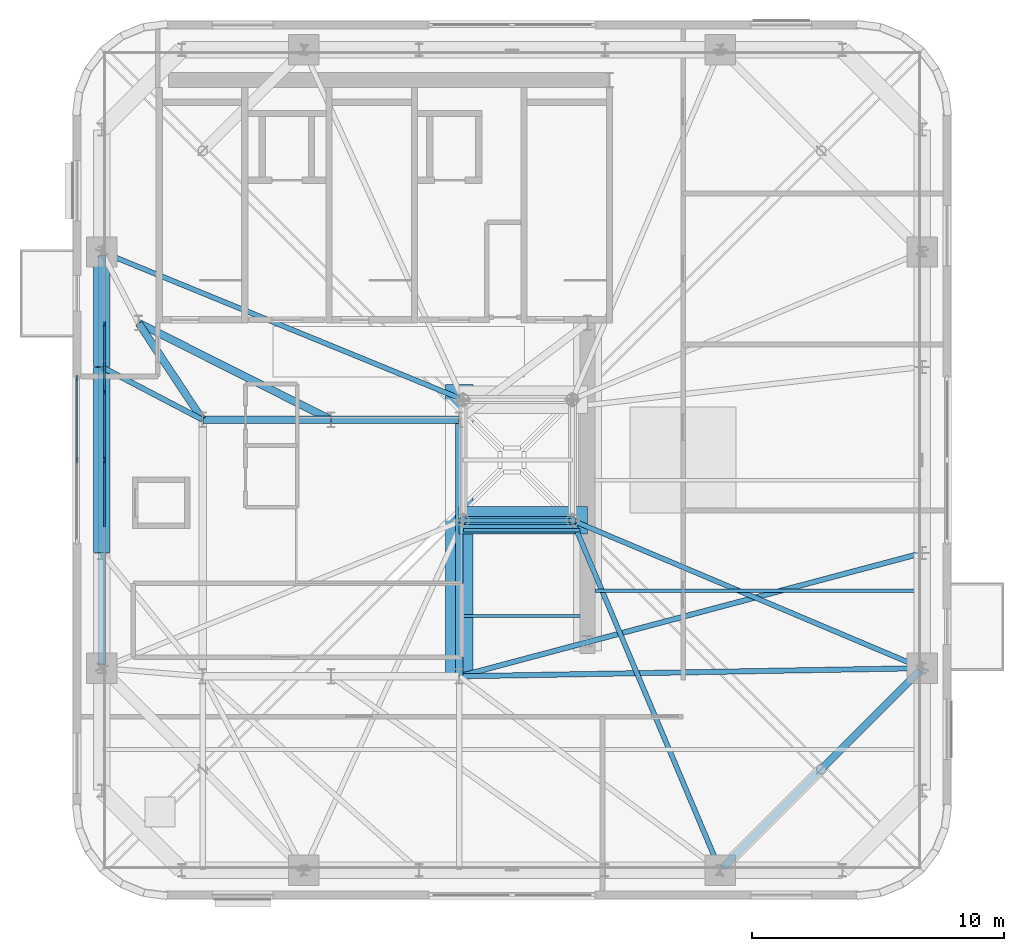
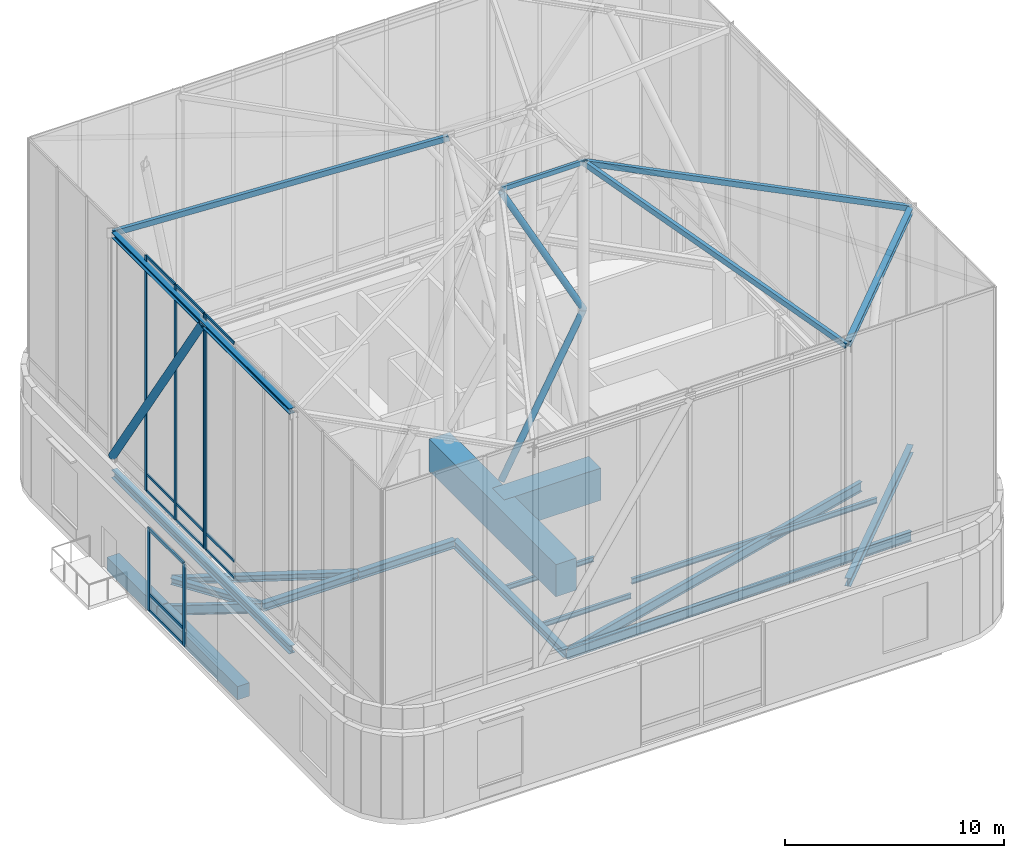
# One storey, part 4 of 15: 25 members, 19 beams, 3 elements without a shape of their own.
"""IFC4 building model written with IfcOpenShell, lengths in metres."""

from ifc_helpers import new_model, si_unit, direction, frame, origin, origin_2d, place, context, subcontext, project, spatial, rectangle, hollow_rectangle, hollow_circle, i_section, extrude, source, transform, mapped, material, material_profile, profile_set, type_object, element, aggregate, save


model = new_model("IFC4")

# Units and contexts
model_context = context("Model", 3, precision=1e-05, world=origin(), true_north=direction((0.0, 1.0)))
body_context = subcontext(model_context, "Body", "Model", "MODEL_VIEW")
ifc_project = project(units=[si_unit("LENGTHUNIT", "METRE"), si_unit("AREAUNIT", "SQUARE_METRE"), si_unit("VOLUMEUNIT", "CUBIC_METRE"), si_unit("PLANEANGLEUNIT", "RADIAN"), si_unit("MASSUNIT", "GRAM", prefix="KILO")], contexts=[model_context])

# Site, building, storey
site_placement = place(None, origin())
site = spatial("IfcSite", under=ifc_project, at=site_placement, CompositionType="ELEMENT")
building_placement = place(site_placement, origin())
building = spatial("IfcBuilding", under=site, at=building_placement, Name="Vardaveli Station Tower", CompositionType="ELEMENT")
storey_placement = place(building_placement, frame((0.0, 0.0, 301.14990234375)))
storey = spatial("IfcBuildingStorey", under=building, at=storey_placement, Name="L76", CompositionType="ELEMENT", Elevation=301.14990234375)

# Beams
ifc_material_1 = material(Name="Structural steel S355J2", Category="steel")
ifc_material_profile_1 = material_profile(ifc_material_1, i_section(OverallWidth=0.300048828125, OverallDepth=0.449951171875, WebThickness=0.013916015625, FlangeThickness=0.02587890625, FilletRadius=0.027099609375, at=origin_2d()), Name="HEB 450")
ifc_profile_set_1 = profile_set([ifc_material_profile_1], Name="Structural steel S355J2")
beam_type_1 = type_object("IfcBeamType", Name="BM-HEB450", PredefinedType="BEAM", material=ifc_profile_set_1)
shared_shape_1 = source(origin(), body_context, "Body", "SweptSolid", [
    extrude(i_section(OverallWidth=0.300048828125, OverallDepth=0.449951171875, WebThickness=0.013916015625, FlangeThickness=0.02587890625, FilletRadius=0.027099609375, at=origin_2d()), origin(), (0.0, 0.0, 1.0), 5.06005859375),
])
beam_1_placement = place(storey_placement, frame((36.280029296875, 26.800048828125, -0.52490234375), z_axis=(-1.0, 0.0, 0.0), x_axis=(0.0, -1.0, 0.0)))
element("IfcBeam", 1, at=beam_1_placement, inside=storey, type_object=beam_type_1, Name="ABM-L76-05", PredefinedType="BEAM", context=body_context, shape_type="MappedRepresentation", body=[
    mapped(shared_shape_1, transform((0.0, 0.0, 0.0), scale=1.0)),
])
shared_shape_2 = source(origin(), body_context, "Body", "SweptSolid", [
    extrude(i_section(OverallWidth=0.300048828125, OverallDepth=0.449951171875, WebThickness=0.013916015625, FlangeThickness=0.02587890625, FilletRadius=0.027099609375, at=origin_2d()), origin(), (0.0, 0.0, 1.0), 5.059814453125),
])
beam_2_placement = place(storey_placement, frame((41.3798828125, 26.800048828125, -0.52490234375), z_axis=(-1.0, 0.0, 0.0), x_axis=(0.0, -1.0, 0.0)))
element("IfcBeam", 2, at=beam_2_placement, inside=storey, type_object=beam_type_1, Name="ABM-L76-04", PredefinedType="BEAM", context=body_context, shape_type="MappedRepresentation", body=[
    mapped(shared_shape_2, transform((0.0, 0.0, 0.0), scale=1.0)),
])
shared_shape_3 = source(origin(), body_context, "Body", "SweptSolid", [
    extrude(i_section(OverallWidth=0.300048828125, OverallDepth=0.449951171875, WebThickness=0.013916015625, FlangeThickness=0.02587890625, FilletRadius=0.027099609375, at=origin_2d()), origin(), (0.0, 0.0, 1.0), 10.159912109375),
])
beam_3_placement = place(storey_placement, frame((41.39990234375, 16.6201171875, -0.52490234375), z_axis=(0.0, 1.0, 0.0), x_axis=(-1.0, 0.0, 0.0)))
element("IfcBeam", 3, at=beam_3_placement, inside=storey, type_object=beam_type_1, Name="ABM-L76-03", PredefinedType="BEAM", context=body_context, shape_type="MappedRepresentation", body=[
    mapped(shared_shape_3, transform((0.0, 0.0, 0.0), scale=1.0)),
])
ifc_material_profile_2 = material_profile(ifc_material_1, i_section(OverallWidth=0.300048828125, OverallDepth=0.360107421875, WebThickness=0.012451171875, FlangeThickness=0.0224609375, FilletRadius=0.027099609375, at=origin_2d()), Name="HEB 360")
ifc_profile_set_2 = profile_set([ifc_material_profile_2], Name="Structural steel S355J2")
beam_type_2 = type_object("IfcBeamType", Name="BM-HEB360", PredefinedType="BEAM", material=ifc_profile_set_2)
shared_shape_4 = source(origin(), body_context, "Body", "SweptSolid", [
    extrude(i_section(OverallWidth=0.300048828125, OverallDepth=0.360107421875, WebThickness=0.012451171875, FlangeThickness=0.0224609375, FilletRadius=0.027099609375, at=origin_2d()), origin(), (0.0, 0.0, 1.0), 4.577880859375),
])
beam_4_placement = place(storey_placement, frame((31.18896484375, 26.816650390625, -0.47998046875), z_axis=(-0.55218702139, 0.833720272879, 0.0), x_axis=(-0.833720272879, -0.55218702139, 0.0)))
element("IfcBeam", 4, at=beam_4_placement, inside=storey, type_object=beam_type_2, Name="CBM-L76-01", PredefinedType="BEAM", context=body_context, shape_type="MappedRepresentation", body=[
    mapped(shared_shape_4, transform((0.0, 0.0, 0.0), scale=1.0)),
])
shared_shape_5 = source(origin(), body_context, "Body", "SweptSolid", [
    extrude(i_section(OverallWidth=0.300048828125, OverallDepth=0.360107421875, WebThickness=0.012451171875, FlangeThickness=0.0224609375, FilletRadius=0.027099609375, at=origin_2d()), origin(), (0.0, 0.0, 1.0), 8.524169921875),
])
beam_5_placement = place(storey_placement, frame((28.66796875, 30.64111328125, -0.47998046875), z_axis=(0.893255584708, -0.449549174605, 0.0), x_axis=(0.449549174605, 0.893255584708, 0.0)))
element("IfcBeam", 5, at=beam_5_placement, inside=storey, type_object=beam_type_2, Name="CBM-L76-03", PredefinedType="BEAM", context=body_context, shape_type="MappedRepresentation", body=[
    mapped(shared_shape_5, transform((0.0, 0.0, 0.0), scale=1.0)),
])
ifc_material_2 = material(Name="Precast concrete C45/55", Category="concrete")
ifc_material_profile_3 = material_profile(ifc_material_2, rectangle(XDim=0.64990234375, YDim=0.75, at=origin_2d()), Name="LPB 650x750")
ifc_profile_set_3 = profile_set([ifc_material_profile_3], Name="Precast concrete C45/55")
beam_type_3 = type_object("IfcBeamType", Name="BM-LPB-750", PredefinedType="BEAM", material=ifc_profile_set_3)
shared_shape_6 = source(origin(), body_context, "Body", "SweptSolid", [
    extrude(rectangle(XDim=0.64990234375, YDim=0.75, at=origin_2d()), origin(), (0.0, 0.0, 1.0), 7.35986328125),
])
beam_6_placement = place(storey_placement, frame((27.18994140625, 28.8798828125, -0.6748046875), z_axis=(0.0, -1.0, 0.0), x_axis=(1.0, 0.0, 0.0)))
element("IfcBeam", 6, at=beam_6_placement, inside=storey, type_object=beam_type_3, Name="RBM-L76-20", PredefinedType="BEAM", context=body_context, shape_type="MappedRepresentation", body=[
    mapped(shared_shape_6, transform((0.0, 0.0, 0.0), scale=1.0)),
])
ifc_material_profile_4 = material_profile(ifc_material_1, i_section(OverallWidth=0.135009765625, OverallDepth=0.27001953125, WebThickness=0.006591796875, FlangeThickness=0.01025390625, FilletRadius=0.014892578125, at=origin_2d()), Name="IPE 270")
ifc_profile_set_4 = profile_set([ifc_material_profile_4], Name="Structural steel S355J2")
beam_type_4 = type_object("IfcBeamType", Name="BM-IPE270", PredefinedType="BEAM", material=ifc_profile_set_4)
shared_shape_7 = source(origin(), body_context, "Body", "SweptSolid", [
    extrude(i_section(OverallWidth=0.135009765625, OverallDepth=0.27001953125, WebThickness=0.006591796875, FlangeThickness=0.01025390625, FilletRadius=0.014892578125, at=origin_2d()), origin(), (0.0, 0.0, 1.0), 4.630126953125),
])
for number, where, z_axis, x_axis, name in (
    (7, (41.56494140625, 19.0, -0.434814453125), (1.0, 0.0, 0.0), (0.0, 1.0, 0.0), "TJ-L76-01"),
    (8, (41.56494140625, 22.39990234375, -0.434814453125), (1.0, 0.0, 0.0), (0.0, 1.0, 0.0), "TJ-L76-02"),
):
    element("IfcBeam", number, at=place(storey_placement, frame(where, z_axis=z_axis, x_axis=x_axis)), inside=storey, type_object=beam_type_4, Name=name, PredefinedType="BEAM", context=body_context, shape_type="MappedRepresentation", body=[
        mapped(shared_shape_7, transform((0.0, 0.0, 0.0), scale=1.0)),
    ])
shared_shape_8 = source(origin(), body_context, "Body", "SweptSolid", [
    extrude(rectangle(XDim=0.64990234375, YDim=0.75, at=origin_2d()), origin(), (0.0, 0.0, 1.0), 4.535888671875),
])
beam_7_placement = place(storey_placement, frame((27.18994140625, 33.455810546875, -0.6748046875), z_axis=(0.0, -1.0, 0.0), x_axis=(1.0, 0.0, 0.0)))
element("IfcBeam", 9, at=beam_7_placement, inside=storey, type_object=beam_type_3, Name="RBM-L76-19", PredefinedType="BEAM", context=body_context, shape_type="MappedRepresentation", body=[
    mapped(shared_shape_8, transform((0.0, 0.0, 0.0), scale=1.0)),
])
ifc_material_profile_5 = material_profile(ifc_material_1, i_section(OverallWidth=0.2099609375, OverallDepth=0.550048828125, WebThickness=0.010986328125, FlangeThickness=0.01708984375, FilletRadius=0.02392578125, at=origin_2d()), Name="IPE 550")
ifc_profile_set_5 = profile_set([ifc_material_profile_5], Name="Structural steel S355J2")
beam_type_5 = type_object("IfcBeamType", Name="BM-IPE550", PredefinedType="BEAM", material=ifc_profile_set_5)
shared_shape_9 = source(origin(), body_context, "Body", "SweptSolid", [
    extrude(i_section(OverallWidth=0.2099609375, OverallDepth=0.550048828125, WebThickness=0.010986328125, FlangeThickness=0.01708984375, FilletRadius=0.02392578125, at=origin_2d()), origin(), (0.0, 0.0, 1.0), 18.373046875),
])
beam_8_placement = place(storey_placement, frame((59.7900390625, 16.923828125, -0.574951171875), z_axis=(-0.999844990961, -0.017606647879, 0.0), x_axis=(0.017606647879, -0.999844990961, 0.0)))
element("IfcBeam", 10, at=beam_8_placement, inside=storey, type_object=beam_type_5, Name="GBM-L76-05", PredefinedType="BEAM", context=body_context, shape_type="MappedRepresentation", body=[
    mapped(shared_shape_9, transform((0.0, 0.0, 0.0), scale=1.0)),
])
shared_shape_10 = source(origin(), body_context, "Body", "SweptSolid", [
    extrude(i_section(OverallWidth=0.2099609375, OverallDepth=0.550048828125, WebThickness=0.010986328125, FlangeThickness=0.01708984375, FilletRadius=0.02392578125, at=origin_2d()), origin(), (0.0, 0.0, 1.0), 19.010986328125),
])
beam_9_placement = place(storey_placement, frame((59.790771484375, 21.494873046875, -0.574951171875), z_axis=(-0.966357602829, -0.25720222288, 0.0), x_axis=(0.25720222288, -0.966357602829, 0.0)))
element("IfcBeam", 11, at=beam_9_placement, inside=storey, type_object=beam_type_5, Name="GBM-L76-06", PredefinedType="BEAM", context=body_context, shape_type="MappedRepresentation", body=[
    mapped(shared_shape_10, transform((0.0, 0.0, 0.0), scale=1.0)),
])
shared_shape_11 = source(origin(), body_context, "Body", "SweptSolid", [
    extrude(i_section(OverallWidth=0.2099609375, OverallDepth=0.550048828125, WebThickness=0.010986328125, FlangeThickness=0.01708984375, FilletRadius=0.02392578125, at=origin_2d()), origin(), (0.0, 0.0, 1.0), 4.486572265625),
])
beam_10_placement = place(storey_placement, frame((27.207763671875, 28.890625, -0.574951171875), z_axis=(0.885890107566, -0.463895157678, 0.0), x_axis=(0.463895157678, 0.885890107566, 0.0)))
element("IfcBeam", 12, at=beam_10_placement, inside=storey, type_object=beam_type_5, Name="GBM-L76-08", PredefinedType="BEAM", context=body_context, shape_type="MappedRepresentation", body=[
    mapped(shared_shape_11, transform((0.0, 0.0, 0.0), scale=1.0)),
])
ifc_material_profile_6 = material_profile(ifc_material_1, i_section(OverallWidth=0.14990234375, OverallDepth=0.300048828125, WebThickness=0.007080078125, FlangeThickness=0.0107421875, FilletRadius=0.014892578125, at=origin_2d()), Name="IPE 300")
ifc_profile_set_6 = profile_set([ifc_material_profile_6], Name="Structural steel S355J2")
beam_type_6 = type_object("IfcBeamType", Name="BM-IPE300", PredefinedType="JOIST", material=ifc_profile_set_6)
shared_shape_12 = source(origin(), body_context, "Body", "SweptSolid", [
    extrude(i_section(OverallWidth=0.14990234375, OverallDepth=0.300048828125, WebThickness=0.007080078125, FlangeThickness=0.0107421875, FilletRadius=0.014892578125, at=origin_2d()), origin(), (0.0, 0.0, 1.0), 12.965087890625),
])
beam_11_placement = place(storey_placement, frame((46.804931640625, 20.0, -0.449951171875), z_axis=(1.0, 0.0, 0.0), x_axis=(0.0, 1.0, 0.0)))
element("IfcBeam", 13, at=beam_11_placement, inside=storey, type_object=beam_type_6, Name="SJ-L76-E04", PredefinedType="JOIST", context=body_context, shape_type="MappedRepresentation", body=[
    mapped(shared_shape_12, transform((0.0, 0.0, 0.0), scale=1.0)),
])
shared_shape_13 = source(origin(), body_context, "Body", "SweptSolid", [
    extrude(i_section(OverallWidth=0.300048828125, OverallDepth=0.449951171875, WebThickness=0.013916015625, FlangeThickness=0.02587890625, FilletRadius=0.027099609375, at=origin_2d()), origin(), (0.0, 0.0, 1.0), 16.271484375),
])
beam_12_placement = place(storey_placement, frame((27.18994140625, 33.335693359375, 4.375), z_axis=(0.0, -1.0, 0.0), x_axis=(1.0, 0.0, 0.0)))
element("IfcBeam", 14, at=beam_12_placement, inside=storey, type_object=beam_type_1, Name="CRB-BASE-07", PredefinedType="BEAM", context=body_context, shape_type="MappedRepresentation", body=[
    mapped(shared_shape_13, transform((0.0, 0.0, 0.0), scale=1.0)),
])
shared_shape_14 = source(origin(), body_context, "Body", "SweptSolid", [
    extrude(i_section(OverallWidth=0.300048828125, OverallDepth=0.449951171875, WebThickness=0.013916015625, FlangeThickness=0.02587890625, FilletRadius=0.027099609375, at=origin_2d()), origin(), (0.0, 0.0, 1.0), 11.08203125),
])
beam_13_placement = place(storey_placement, frame((51.874755859375, 8.989013671875, 4.375), z_axis=(0.707106781187, 0.707106781187, 0.0), x_axis=(-0.707106781187, 0.707106781187, 0.0)))
element("IfcBeam", 15, at=beam_13_placement, inside=storey, type_object=beam_type_1, Name="CRB-BASE-02", PredefinedType="BEAM", context=body_context, shape_type="MappedRepresentation", body=[
    mapped(shared_shape_14, transform((0.0, 0.0, 0.0), scale=1.0)),
])

# Member
ifc_material_3 = material(Name="Structural steel S460M", Category="steel")
ifc_material_profile_7 = material_profile(ifc_material_3, hollow_circle(Radius=0.203125, WallThickness=0.02001953125, at=origin_2d()), Name="CHS 406.4x20")
ifc_profile_set_7 = profile_set([ifc_material_profile_7], Name="Structural steel S460M")
member_type_1 = type_object("IfcMemberType", Name="MEM-ST-CHS406", PredefinedType="STRUT", material=ifc_profile_set_7)
shared_shape_15 = source(origin(), body_context, "Body", "SweptSolid", [
    extrude(hollow_circle(Radius=0.203125, WallThickness=0.02001953125, at=origin_2d()), origin(), (0.0, 0.0, 1.0), 14.949951171875),
])
member_1_placement = place(storey_placement, frame((27.18994140625, 33.475830078125, 5.25), z_axis=(0.0, -0.553576644166, 0.832798234288), x_axis=(1.0, 0.0, 0.0)))
element("IfcMember", 16, at=member_1_placement, inside=storey, type_object=member_type_1, Name="CRM-STR-07", PredefinedType="STRUT", context=body_context, shape_type="MappedRepresentation", body=[
    mapped(shared_shape_15, transform((0.0, 0.0, 0.0), scale=1.0)),
])

# Beams
ifc_material_profile_8 = material_profile(ifc_material_1, i_section(OverallWidth=0.300048828125, OverallDepth=0.300048828125, WebThickness=0.010986328125, FlangeThickness=0.01904296875, FilletRadius=0.027099609375, at=origin_2d()), Name="HEB 300")
ifc_profile_set_8 = profile_set([ifc_material_profile_8], Name="Structural steel S355J2")
beam_type_7 = type_object("IfcBeamType", Name="BM-HEB300", PredefinedType="BEAM", material=ifc_profile_set_8)
shared_shape_16 = source(origin(), body_context, "Body", "SweptSolid", [
    extrude(i_section(OverallWidth=0.300048828125, OverallDepth=0.300048828125, WebThickness=0.010986328125, FlangeThickness=0.01904296875, FilletRadius=0.027099609375, at=origin_2d()), origin(), (0.0, 0.0, 1.0), 16.271484375),
])
beam_14_placement = place(storey_placement, frame((27.18994140625, 33.335693359375, 17.7001953125), z_axis=(0.0, -1.0, 0.0), x_axis=(1.0, 0.0, 0.0)))
element("IfcBeam", 17, at=beam_14_placement, inside=storey, type_object=beam_type_7, Name="CRB-EAVE-07", PredefinedType="BEAM", context=body_context, shape_type="MappedRepresentation", body=[
    mapped(shared_shape_16, transform((0.0, 0.0, 0.0), scale=1.0)),
])
shared_shape_17 = source(origin(), body_context, "Body", "SweptSolid", [
    extrude(i_section(OverallWidth=0.300048828125, OverallDepth=0.300048828125, WebThickness=0.010986328125, FlangeThickness=0.01904296875, FilletRadius=0.027099609375, at=origin_2d()), origin(), (0.0, 0.0, 1.0), 11.08203125),
])
beam_15_placement = place(storey_placement, frame((51.874755859375, 8.989013671875, 17.7001953125), z_axis=(0.707106781187, 0.707106781187, 0.0), x_axis=(-0.707106781187, 0.707106781187, 0.0)))
element("IfcBeam", 18, at=beam_15_placement, inside=storey, type_object=beam_type_7, Name="CRB-EAVE-02", PredefinedType="BEAM", context=body_context, shape_type="MappedRepresentation", body=[
    mapped(shared_shape_17, transform((0.0, 0.0, 0.0), scale=1.0)),
])
ifc_material_4 = material(Name="Concrete C60/75", Category="concrete")
ifc_material_profile_9 = material_profile(ifc_material_4, rectangle(XDim=1.10009765625, YDim=1.800048828125, at=origin_2d()), Name="TG 1100x1800")
ifc_profile_set_9 = profile_set([ifc_material_profile_9], Name="Concrete C60/75")
beam_type_8 = type_object("IfcBeamType", Name="BM-TG-1800", PredefinedType="BEAM", material=ifc_profile_set_9)
shared_shape_18 = source(origin(), body_context, "Body", "SweptSolid", [
    extrude(rectangle(XDim=1.10009765625, YDim=1.800048828125, at=origin_2d()), origin(), (0.0, 0.0, 1.0), 11.599853515625),
])
beam_16_placement = place(storey_placement, frame((41.39990234375, 16.60009765625, 3.7001953125), z_axis=(0.0, 1.0, 0.0), x_axis=(-1.0, 0.0, 0.0)))
element("IfcBeam", 19, at=beam_16_placement, inside=storey, type_object=beam_type_8, Name="CRB-TG-WL", PredefinedType="BEAM", context=body_context, shape_type="MappedRepresentation", body=[
    mapped(shared_shape_18, transform((0.0, 0.0, 0.0), scale=1.0)),
])
shared_shape_19 = source(origin(), body_context, "Body", "SweptSolid", [
    extrude(rectangle(XDim=1.10009765625, YDim=1.800048828125, at=origin_2d()), origin(), (0.0, 0.0, 1.0), 5.10009765625),
])
beam_17_placement = place(storey_placement, frame((41.39990234375, 22.800048828125, 3.7001953125), z_axis=(1.0, 0.0, 0.0), x_axis=(0.0, 1.0, 0.0)))
element("IfcBeam", 20, at=beam_17_placement, inside=storey, type_object=beam_type_8, Name="CRB-TG-S", PredefinedType="BEAM", context=body_context, shape_type="MappedRepresentation", body=[
    mapped(shared_shape_19, transform((0.0, 0.0, 0.0), scale=1.0)),
])

# Members
ifc_material_profile_10 = material_profile(ifc_material_1, hollow_circle(Radius=0.161865234375, WallThickness=0.01611328125, at=origin_2d()), Name="CHS 323.9x16")
ifc_profile_set_10 = profile_set([ifc_material_profile_10], Name="Structural steel S355J2")
member_type_2 = type_object("IfcMemberType", Name="MEM-BR-CHS324", PredefinedType="BRACE", material=ifc_profile_set_10)
shared_shape_20 = source(origin(), body_context, "Body", "SweptSolid", [
    extrude(hollow_circle(Radius=0.161865234375, WallThickness=0.01611328125, at=origin_2d()), origin(), (0.0, 0.0, 1.0), 9.158935546875),
])
for number, where, z_axis, x_axis, name in (
    (21, (41.550048828125, 22.800048828125, 5.300048828125), (0.47493096275, 0.0, 0.880023056869), (0.0, 1.0, 0.0), "CRM-BRC-01"),
    (22, (45.89990234375, 22.800048828125, 13.360107421875), (-0.47493096275, 0.0, 0.880023056869), (0.0, -1.0, 0.0), "CRM-BRC-02"),
):
    element("IfcMember", number, at=place(storey_placement, frame(where, z_axis=z_axis, x_axis=x_axis)), inside=storey, type_object=member_type_2, Name=name, PredefinedType="BRACE", context=body_context, shape_type="MappedRepresentation", body=[
        mapped(shared_shape_20, transform((0.0, 0.0, 0.0), scale=1.0)),
    ])
ifc_material_profile_11 = material_profile(ifc_material_1, hollow_rectangle(XDim=0.199951171875, YDim=0.300048828125, WallThickness=0.012451171875, at=origin_2d()), Name="RHS 300x200x12.5")
ifc_profile_set_11 = profile_set([ifc_material_profile_11], Name="Structural steel S355J2")
member_type_3 = type_object("IfcMemberType", Name="MEM-RF-RHS300", PredefinedType="RAFTER", material=ifc_profile_set_11)
shared_shape_21 = source(origin(), body_context, "Body", "SweptSolid", [
    extrude(hollow_rectangle(XDim=0.199951171875, YDim=0.300048828125, WallThickness=0.012451171875, at=origin_2d()), origin(), (0.0, 0.0, 1.0), 15.58837890625),
])
member_2_placement = place(storey_placement, frame((51.77587890625, 8.889892578125, 17.7001953125), z_axis=(-0.37694758976, 0.892345266503, 0.24825478832), x_axis=(-0.921183114514, -0.389129373774, 0.0)))
element("IfcMember", 23, at=member_2_placement, inside=storey, type_object=member_type_3, Name="CRM-RAF-02", PredefinedType="RAFTER", context=body_context, shape_type="MappedRepresentation", body=[
    mapped(shared_shape_21, transform((0.0, 0.0, 0.0), scale=1.0)),
])
shared_shape_22 = source(origin(), body_context, "Body", "SweptSolid", [
    extrude(hollow_rectangle(XDim=0.199951171875, YDim=0.300048828125, WallThickness=0.012451171875, at=origin_2d()), origin(), (0.0, 0.0, 1.0), 15.588134765625),
])
member_3_placement = place(storey_placement, frame((59.81005859375, 16.92431640625, 17.7001953125), z_axis=(-0.89235053455, 0.37693415324, 0.248256253917), x_axis=(-0.389115653902, -0.92118890999, 0.0)))
element("IfcMember", 24, at=member_3_placement, inside=storey, type_object=member_type_3, Name="CRM-RAF-03", PredefinedType="RAFTER", context=body_context, shape_type="MappedRepresentation", body=[
    mapped(shared_shape_22, transform((0.0, 0.0, 0.0), scale=1.0)),
])
shared_shape_23 = source(origin(), body_context, "Body", "SweptSolid", [
    extrude(hollow_rectangle(XDim=0.199951171875, YDim=0.300048828125, WallThickness=0.012451171875, at=origin_2d()), origin(), (0.0, 0.0, 1.0), 15.990966796875),
])
member_4_placement = place(storey_placement, frame((27.18994140625, 33.475830078125, 17.7001953125), z_axis=(0.898010523232, -0.3674394203, 0.242002835882), x_axis=(0.378695952222, 0.925521137398, 0.0)))
element("IfcMember", 25, at=member_4_placement, inside=storey, type_object=member_type_3, Name="CRM-RAF-07", PredefinedType="RAFTER", context=body_context, shape_type="MappedRepresentation", body=[
    mapped(shared_shape_23, transform((0.0, 0.0, 0.0), scale=1.0)),
])
ifc_material_profile_12 = material_profile(ifc_material_1, hollow_rectangle(XDim=0.14990234375, YDim=0.25, WallThickness=0.010009765625, at=origin_2d()), Name="RHS 250x150x10")
ifc_profile_set_12 = profile_set([ifc_material_profile_12], Name="Structural steel S355J2")
member_type_4 = type_object("IfcMemberType", Name="MEM-PR-RHS250", PredefinedType="PURLIN", material=ifc_profile_set_12)
shared_shape_24 = source(origin(), body_context, "Body", "SweptSolid", [
    extrude(hollow_rectangle(XDim=0.14990234375, YDim=0.25, WallThickness=0.010009765625, at=origin_2d()), origin(), (0.0, 0.0, 1.0), 4.349853515625),
])
member_5_placement = place(storey_placement, frame((41.550048828125, 22.800048828125, 21.59521484375), z_axis=(1.0, 0.0, 0.0), x_axis=(0.0, 1.0, 0.0)))
element("IfcMember", 26, at=member_5_placement, inside=storey, type_object=member_type_4, Name="CRM-PUR-01", PredefinedType="PURLIN", context=body_context, shape_type="MappedRepresentation", body=[
    mapped(shared_shape_24, transform((0.0, 0.0, 0.0), scale=1.0)),
])

# Curtain wall, members
ifc_material_5 = material(Name="Travertine stone and solar-control glass", Category="masonry")
curtain_wall_type_1 = type_object("IfcCurtainWallType", Name="CW-SYS-5", PredefinedType="NOTDEFINED", material=ifc_material_5)
curtain_wall_1_placement = place(storey_placement, origin())
curtain_wall_1 = element("IfcCurtainWall", 27, at=curtain_wall_1_placement, inside=storey, type_object=curtain_wall_type_1, Name="CW-L76-W", PredefinedType="NOTDEFINED")
ifc_material_6 = material(Name="Anodised aluminium alloy 6063-T6", Category="aluminium")
ifc_material_profile_13 = material_profile(ifc_material_6, rectangle(XDim=0.080078125, YDim=0.1650390625, at=origin_2d()), Name="CWT 80x165")
ifc_profile_set_13 = profile_set([ifc_material_profile_13], Name="Anodised aluminium alloy 6063-T6")
member_type_5 = type_object("IfcMemberType", Name="CW-SYS-5-TRAN", PredefinedType="NOTDEFINED", material=ifc_profile_set_13)
shared_shape_25 = source(origin(), body_context, "Body", "SweptSolid", [
    extrude(rectangle(XDim=0.080078125, YDim=0.1650390625, at=origin_2d()), origin(), (0.0, 0.0, 1.0), 3.179931640625),
])
member_6_placement = place(storey_placement, frame((26.199951171875, 28.419921875, 0.0400390625), z_axis=(0.0, -1.0, 0.0), x_axis=(1.0, 0.0, 0.0)))
member_6 = element("IfcMember", 28, at=member_6_placement, type_object=member_type_5, Name="CW-5 transom 1.1", ObjectType="TRANSOM", PredefinedType="USERDEFINED", context=body_context, shape_type="MappedRepresentation", body=[
    mapped(shared_shape_25, transform((0.0, 0.0, 0.0), scale=1.0)),
])
member_7_placement = place(storey_placement, frame((26.199951171875, 28.419921875, 0.9501953125), z_axis=(0.0, -1.0, 0.0), x_axis=(1.0, 0.0, 0.0)))
member_7 = element("IfcMember", 29, at=member_7_placement, type_object=member_type_5, Name="CW-5 transom 1.2", ObjectType="TRANSOM", PredefinedType="USERDEFINED", context=body_context, shape_type="MappedRepresentation", body=[
    mapped(shared_shape_25, transform((0.0, 0.0, 0.0), scale=1.0)),
])
member_8_placement = place(storey_placement, frame((26.199951171875, 28.419921875, 4.56005859375), z_axis=(0.0, -1.0, 0.0), x_axis=(1.0, 0.0, 0.0)))
member_8 = element("IfcMember", 30, at=member_8_placement, type_object=member_type_5, Name="CW-5 transom 1.3", ObjectType="TRANSOM", PredefinedType="USERDEFINED", context=body_context, shape_type="MappedRepresentation", body=[
    mapped(shared_shape_25, transform((0.0, 0.0, 0.0), scale=1.0)),
])
ifc_material_profile_14 = material_profile(ifc_material_6, rectangle(XDim=0.080078125, YDim=0.205078125, at=origin_2d()), Name="CWM 80x205")
ifc_profile_set_14 = profile_set([ifc_material_profile_14], Name="Anodised aluminium alloy 6063-T6")
member_type_6 = type_object("IfcMemberType", Name="CW-SYS-5-MULL", PredefinedType="MULLION", material=ifc_profile_set_14)
shared_shape_26 = source(origin(), body_context, "Body", "SweptSolid", [
    extrude(rectangle(XDim=0.080078125, YDim=0.205078125, at=origin_2d()), origin(), (0.0, 0.0, 1.0), 4.60009765625),
])
member_9_placement = place(storey_placement, frame((26.199951171875, 28.4599609375, 0.0), z_axis=(0.0, 0.0, 1.0), x_axis=(1.0, 0.0, 0.0)))
member_9 = element("IfcMember", 31, at=member_9_placement, type_object=member_type_6, Name="CW-5 mullion 1", PredefinedType="MULLION", context=body_context, shape_type="MappedRepresentation", body=[
    mapped(shared_shape_26, transform((0.0, 0.0, 0.0), scale=1.0)),
])
member_10_placement = place(storey_placement, frame((26.199951171875, 25.199951171875, 0.0), z_axis=(0.0, 0.0, 1.0), x_axis=(1.0, 0.0, 0.0)))
member_10 = element("IfcMember", 32, at=member_10_placement, type_object=member_type_6, Name="CW-5 mullion 2", PredefinedType="MULLION", context=body_context, shape_type="MappedRepresentation", body=[
    mapped(shared_shape_26, transform((0.0, 0.0, 0.0), scale=1.0)),
])
aggregate(curtain_wall_1, [member_9, member_10, member_6, member_7, member_8])

curtain_wall_type_2 = type_object("IfcCurtainWallType", Name="CW-SYS-6", PredefinedType="NOTDEFINED", material=ifc_material_5)
curtain_wall_2_placement = place(storey_placement, origin())
curtain_wall_2 = element("IfcCurtainWall", 33, at=curtain_wall_2_placement, inside=storey, type_object=curtain_wall_type_2, Name="CW-L76-CRN-W1", PredefinedType="NOTDEFINED")
ifc_material_profile_15 = material_profile(ifc_material_6, rectangle(XDim=0.074951171875, YDim=0.18994140625, at=origin_2d()), Name="CWM 75x190")
ifc_profile_set_15 = profile_set([ifc_material_profile_15], Name="Anodised aluminium alloy 6063-T6")
member_type_7 = type_object("IfcMemberType", Name="CW-SYS-6-MULL", PredefinedType="MULLION", material=ifc_profile_set_15)
shared_shape_27 = source(origin(), body_context, "Body", "SweptSolid", [
    extrude(rectangle(XDim=0.074951171875, YDim=0.18994140625, at=origin_2d()), origin(), (0.0, 0.0, 1.0), 13.150146484375),
])
member_11_placement = place(storey_placement, frame((27.300048828125, 30.60009765625, 5.0), z_axis=(0.0, 0.0, 1.0), x_axis=(1.0, 0.0, 0.0)))
member_11 = element("IfcMember", 34, at=member_11_placement, type_object=member_type_7, Name="CW-6 mullion 5", PredefinedType="MULLION", context=body_context, shape_type="MappedRepresentation", body=[
    mapped(shared_shape_27, transform((0.0, 0.0, 0.0), scale=1.0)),
])
member_12_placement = place(storey_placement, frame((27.300048828125, 27.89990234375, 5.0), z_axis=(0.0, 0.0, 1.0), x_axis=(1.0, 0.0, 0.0)))
member_12 = element("IfcMember", 35, at=member_12_placement, type_object=member_type_7, Name="CW-6 mullion 6", PredefinedType="MULLION", context=body_context, shape_type="MappedRepresentation", body=[
    mapped(shared_shape_27, transform((0.0, 0.0, 0.0), scale=1.0)),
])
member_13_placement = place(storey_placement, frame((27.300048828125, 25.237548828125, 5.0), z_axis=(0.0, 0.0, 1.0), x_axis=(1.0, 0.0, 0.0)))
member_13 = element("IfcMember", 36, at=member_13_placement, type_object=member_type_7, Name="CW-6 mullion 7", PredefinedType="MULLION", context=body_context, shape_type="MappedRepresentation", body=[
    mapped(shared_shape_27, transform((0.0, 0.0, 0.0), scale=1.0)),
])

curtain_wall_3_placement = place(storey_placement, origin())
curtain_wall_3 = element("IfcCurtainWall", 37, at=curtain_wall_3_placement, inside=storey, type_object=curtain_wall_type_2, Name="CW-L76-CRN-W2", PredefinedType="NOTDEFINED")
member_14_placement = place(storey_placement, frame((27.300048828125, 25.16259765625, 5.0), z_axis=(0.0, 0.0, 1.0), x_axis=(1.0, 0.0, 0.0)))
member_14 = element("IfcMember", 38, at=member_14_placement, type_object=member_type_7, Name="CW-6 mullion 1", PredefinedType="MULLION", context=body_context, shape_type="MappedRepresentation", body=[
    mapped(shared_shape_27, transform((0.0, 0.0, 0.0), scale=1.0)),
])
ifc_material_profile_16 = material_profile(ifc_material_6, rectangle(XDim=0.074951171875, YDim=0.14990234375, at=origin_2d()), Name="CWT 75x150")
ifc_profile_set_16 = profile_set([ifc_material_profile_16], Name="Anodised aluminium alloy 6063-T6")
member_type_8 = type_object("IfcMemberType", Name="CW-SYS-6-TRAN", PredefinedType="NOTDEFINED", material=ifc_profile_set_16)
shared_shape_28 = source(origin(), body_context, "Body", "SweptSolid", [
    extrude(rectangle(XDim=0.074951171875, YDim=0.14990234375, at=origin_2d()), origin(), (0.0, 0.0, 1.0), 2.58740234375),
])
member_15_placement = place(storey_placement, frame((27.300048828125, 25.125, 5.03759765625), z_axis=(0.0, -1.0, 0.0), x_axis=(1.0, 0.0, 0.0)))
member_15 = element("IfcMember", 39, at=member_15_placement, type_object=member_type_8, Name="CW-6 transom 1.1", ObjectType="TRANSOM", PredefinedType="USERDEFINED", context=body_context, shape_type="MappedRepresentation", body=[
    mapped(shared_shape_28, transform((0.0, 0.0, 0.0), scale=1.0)),
])
member_16_placement = place(storey_placement, frame((27.300048828125, 25.125, 5.9501953125), z_axis=(0.0, -1.0, 0.0), x_axis=(1.0, 0.0, 0.0)))
member_16 = element("IfcMember", 40, at=member_16_placement, type_object=member_type_8, Name="CW-6 transom 1.2", ObjectType="TRANSOM", PredefinedType="USERDEFINED", context=body_context, shape_type="MappedRepresentation", body=[
    mapped(shared_shape_28, transform((0.0, 0.0, 0.0), scale=1.0)),
])
member_17_placement = place(storey_placement, frame((27.300048828125, 25.125, 18.112548828125), z_axis=(0.0, -1.0, 0.0), x_axis=(1.0, 0.0, 0.0)))
member_17 = element("IfcMember", 41, at=member_17_placement, type_object=member_type_8, Name="CW-6 transom 1.3", ObjectType="TRANSOM", PredefinedType="USERDEFINED", context=body_context, shape_type="MappedRepresentation", body=[
    mapped(shared_shape_28, transform((0.0, 0.0, 0.0), scale=1.0)),
])
aggregate(curtain_wall_3, [member_14, member_15, member_16, member_17])

# Member
shared_shape_29 = source(origin(), body_context, "Body", "SweptSolid", [
    extrude(rectangle(XDim=0.074951171875, YDim=0.14990234375, at=origin_2d()), origin(), (0.0, 0.0, 1.0), 2.625),
])
member_18_placement = place(storey_placement, frame((27.300048828125, 30.5625, 5.03759765625), z_axis=(0.0, -1.0, 0.0), x_axis=(1.0, 0.0, 0.0)))
member_18 = element("IfcMember", 42, at=member_18_placement, type_object=member_type_8, Name="CW-6 transom 5.1", ObjectType="TRANSOM", PredefinedType="USERDEFINED", context=body_context, shape_type="MappedRepresentation", body=[
    mapped(shared_shape_29, transform((0.0, 0.0, 0.0), scale=1.0)),
])

member_19_placement = place(storey_placement, frame((27.300048828125, 30.5625, 5.9501953125), z_axis=(0.0, -1.0, 0.0), x_axis=(1.0, 0.0, 0.0)))
member_19 = element("IfcMember", 43, at=member_19_placement, type_object=member_type_8, Name="CW-6 transom 5.2", ObjectType="TRANSOM", PredefinedType="USERDEFINED", context=body_context, shape_type="MappedRepresentation", body=[
    mapped(shared_shape_29, transform((0.0, 0.0, 0.0), scale=1.0)),
])

member_20_placement = place(storey_placement, frame((27.300048828125, 30.5625, 18.112548828125), z_axis=(0.0, -1.0, 0.0), x_axis=(1.0, 0.0, 0.0)))
member_20 = element("IfcMember", 44, at=member_20_placement, type_object=member_type_8, Name="CW-6 transom 5.3", ObjectType="TRANSOM", PredefinedType="USERDEFINED", context=body_context, shape_type="MappedRepresentation", body=[
    mapped(shared_shape_29, transform((0.0, 0.0, 0.0), scale=1.0)),
])

shared_shape_30 = source(origin(), body_context, "Body", "SweptSolid", [
    extrude(rectangle(XDim=0.074951171875, YDim=0.14990234375, at=origin_2d()), origin(), (0.0, 0.0, 1.0), 2.587646484375),
])
member_21_placement = place(storey_placement, frame((27.300048828125, 27.862548828125, 5.03759765625), z_axis=(0.0, -1.0, 0.0), x_axis=(1.0, 0.0, 0.0)))
member_21 = element("IfcMember", 45, at=member_21_placement, type_object=member_type_8, Name="CW-6 transom 6.1", ObjectType="TRANSOM", PredefinedType="USERDEFINED", context=body_context, shape_type="MappedRepresentation", body=[
    mapped(shared_shape_30, transform((0.0, 0.0, 0.0), scale=1.0)),
])

member_22_placement = place(storey_placement, frame((27.300048828125, 27.862548828125, 5.9501953125), z_axis=(0.0, -1.0, 0.0), x_axis=(1.0, 0.0, 0.0)))
member_22 = element("IfcMember", 46, at=member_22_placement, type_object=member_type_8, Name="CW-6 transom 6.2", ObjectType="TRANSOM", PredefinedType="USERDEFINED", context=body_context, shape_type="MappedRepresentation", body=[
    mapped(shared_shape_30, transform((0.0, 0.0, 0.0), scale=1.0)),
])

member_23_placement = place(storey_placement, frame((27.300048828125, 27.862548828125, 18.112548828125), z_axis=(0.0, -1.0, 0.0), x_axis=(1.0, 0.0, 0.0)))
member_23 = element("IfcMember", 47, at=member_23_placement, type_object=member_type_8, Name="CW-6 transom 6.3", ObjectType="TRANSOM", PredefinedType="USERDEFINED", context=body_context, shape_type="MappedRepresentation", body=[
    mapped(shared_shape_30, transform((0.0, 0.0, 0.0), scale=1.0)),
])

aggregate(curtain_wall_2, [member_11, member_12, member_13, member_18, member_19, member_20, member_21, member_22, member_23])

save(model, "model.ifc")
